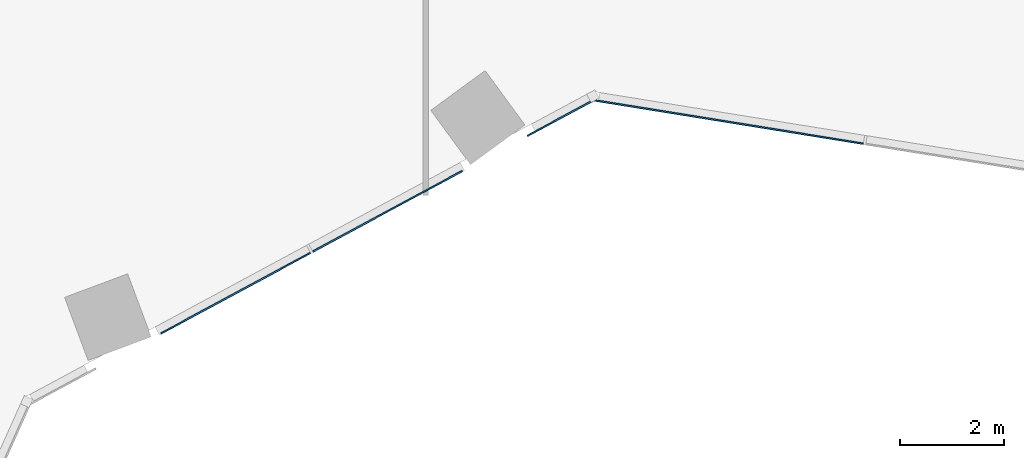
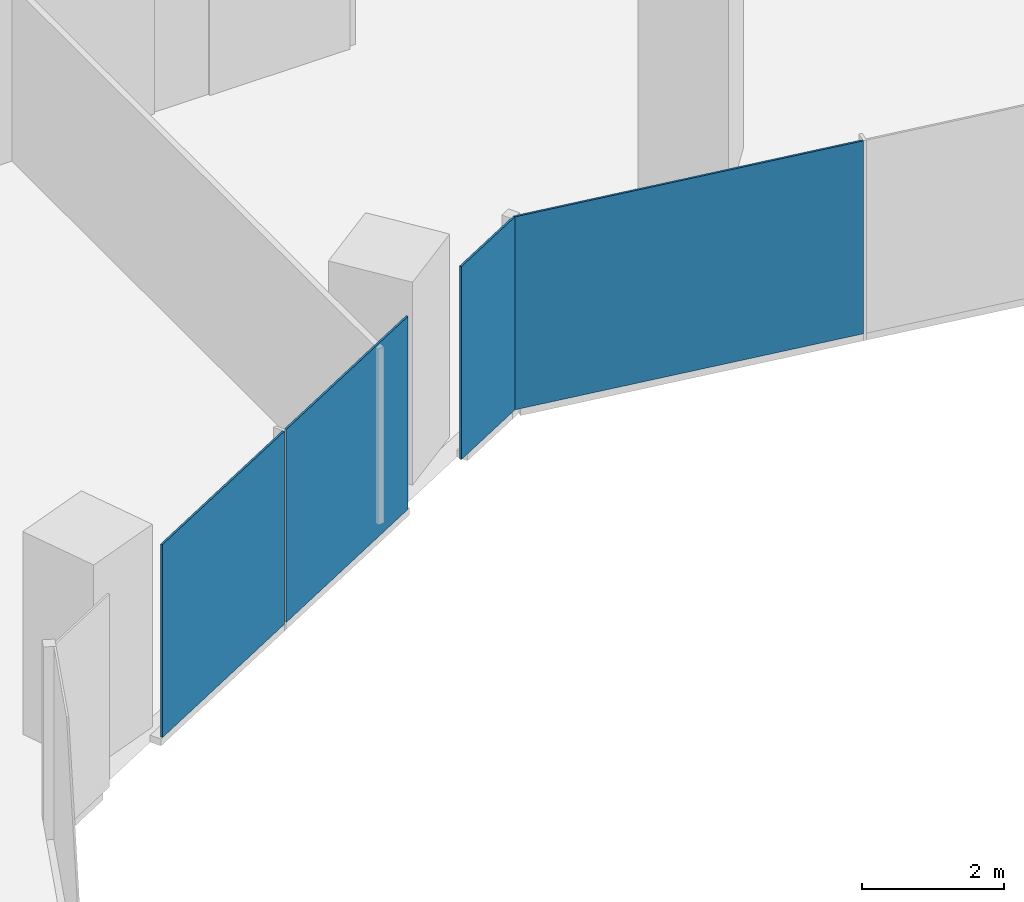
# One storey, part 20 of 34: 4 plates, 2 elements without a shape of their own.
"""IFC4 building model written with IfcOpenShell, lengths in metres."""

from ifc_helpers import new_model, si_unit, direction, frame, origin, origin_2d, place, context, subcontext, project, spatial, rectangle, extrude, material, layer, layer_set, type_object, element, aggregate, save


model = new_model("IFC4")

# Units and contexts
model_context = context("Model", 3, precision=1e-05, world=origin(), true_north=direction((0.0, 1.0)))
body_context = subcontext(model_context, "Body", "Model", "MODEL_VIEW")
ifc_project = project(units=[si_unit("LENGTHUNIT", "METRE"), si_unit("AREAUNIT", "SQUARE_METRE"), si_unit("VOLUMEUNIT", "CUBIC_METRE"), si_unit("PLANEANGLEUNIT", "RADIAN"), si_unit("MASSUNIT", "GRAM", prefix="KILO")], contexts=[model_context])

# Site, building, storey
site_placement = place(None, origin())
site = spatial("IfcSite", under=ifc_project, at=site_placement, CompositionType="ELEMENT")
building_placement = place(site_placement, origin())
building = spatial("IfcBuilding", under=site, at=building_placement, Name="Orlundy Tower", CompositionType="ELEMENT")
storey_placement = place(building_placement, frame((0.0, 0.0, 134.199951171875)))
storey = spatial("IfcBuildingStorey", under=building, at=storey_placement, Name="L34", CompositionType="ELEMENT", Elevation=134.199951171875)

# Curtain wall, plate
ifc_material_1 = material(Name="Aluminium bronze anodised", Category="aluminium")
curtain_wall_type = type_object("IfcCurtainWallType", Name="CW1 wall", PredefinedType="NOTDEFINED", material=ifc_material_1)
curtain_wall_1_placement = place(storey_placement, origin())
curtain_wall_1 = element("IfcCurtainWall", 1, at=curtain_wall_1_placement, inside=storey, type_object=curtain_wall_type, Name="CW1 run 016", PredefinedType="NOTDEFINED")
ifc_material_2 = material(Name="Tinted glass", Category="glass")
ifc_layer = layer(ifc_material_2, 0.031982421875)
ifc_layer_set = layer_set([ifc_layer], Name="CW1 glass panel 32")
plate_type = type_object("IfcPlateType", Name="CW1 glass panel 32", PredefinedType="CURTAIN_PANEL", material=ifc_layer_set)
plate_1_placement = place(storey_placement, frame((22.3662109375, -24.033935546875, -0.280029296875), z_axis=(0.0, 0.0, 1.0), x_axis=(-0.987228432558, 0.159311085453, 0.0)))
plate_1 = element("IfcPlate", 2, at=plate_1_placement, type_object=plate_type, Name="CW1 panel", PredefinedType="CURTAIN_PANEL", context=body_context, shape_type="SweptSolid", body=[
    extrude(rectangle(XDim=5.276123046875, YDim=0.031982421875, at=origin_2d()), origin(), (0.0, 0.0, 1.0), 3.330078125),
])
aggregate(curtain_wall_1, [plate_1])

# Curtain wall, plates
curtain_wall_2_placement = place(storey_placement, origin())
curtain_wall_2 = element("IfcCurtainWall", 3, at=curtain_wall_2_placement, inside=storey, type_object=curtain_wall_type, Name="CW1 run 017", PredefinedType="NOTDEFINED")
plate_2_placement = place(storey_placement, frame((19.1240234375, -23.957763671875, -0.280029296875), z_axis=(0.0, 0.0, 1.0), x_axis=(-0.88019320423, -0.474615553081, 0.0)))
plate_2 = element("IfcPlate", 4, at=plate_2_placement, type_object=plate_type, Name="CW1 panel", PredefinedType="CURTAIN_PANEL", context=body_context, shape_type="SweptSolid", body=[
    extrude(rectangle(XDim=1.44921875, YDim=0.031982421875, at=origin_2d()), origin(), (0.0, 0.0, 1.0), 3.330078125),
])
plate_3_placement = place(storey_placement, frame((15.7822265625, -25.759765625, -0.280029296875), z_axis=(0.0, 0.0, 1.0), x_axis=(-0.88019320423, -0.474615553081, 0.0)))
plate_3 = element("IfcPlate", 5, at=plate_3_placement, type_object=plate_type, Name="CW1 panel", PredefinedType="CURTAIN_PANEL", context=body_context, shape_type="SweptSolid", body=[
    extrude(rectangle(XDim=3.28173828125, YDim=0.031982421875, at=origin_2d()), origin(), (0.0, 0.0, 1.0), 3.330078125),
])
plate_4_placement = place(storey_placement, frame((12.849609375, -27.341064453125, -0.280029296875), z_axis=(0.0, 0.0, 1.0), x_axis=(-0.88019320423, -0.474615553081, 0.0)))
plate_4 = element("IfcPlate", 6, at=plate_4_placement, type_object=plate_type, Name="CW1 panel", PredefinedType="CURTAIN_PANEL", context=body_context, shape_type="SweptSolid", body=[
    extrude(rectangle(XDim=3.28173828125, YDim=0.031982421875, at=origin_2d()), origin(), (0.0, 0.0, 1.0), 3.330078125),
])
aggregate(curtain_wall_2, [plate_2, plate_3, plate_4])

save(model, "model.ifc")
